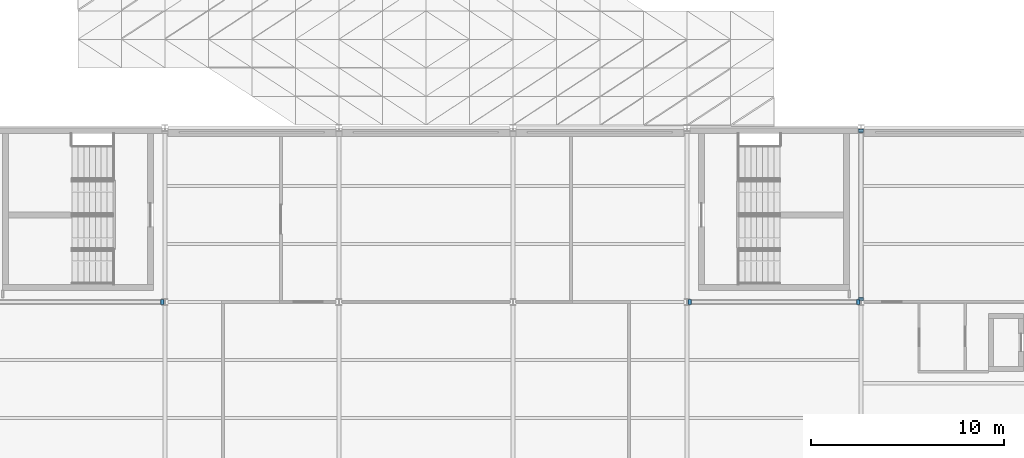
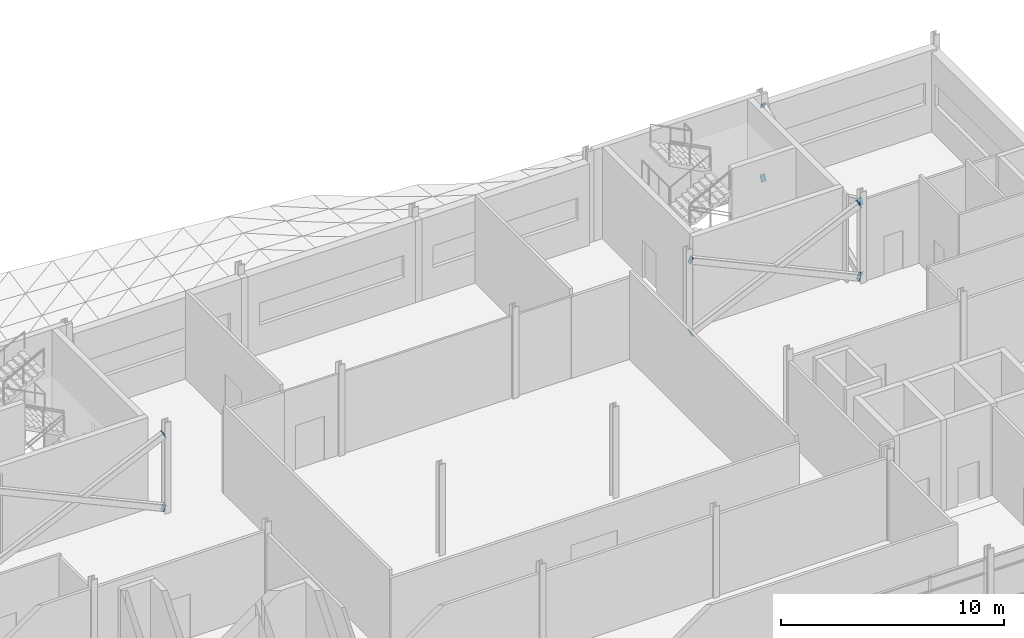
# One storey, part 103 of 112: 10 discrete accessories.
"""IFC4 building model written with IfcOpenShell, lengths in metres."""

from ifc_helpers import new_model, si_unit, direction, frame, origin, place, context, subcontext, project, spatial, polyline, outline, extrude, material, layer, layer_set, type_object, element, save


model = new_model("IFC4")

# Units and contexts
model_context = context("Model", 3, precision=1e-05, world=origin(), true_north=direction((0.0, 1.0)))
body_context = subcontext(model_context, "Body", "Model", "MODEL_VIEW")
ifc_project = project(units=[si_unit("LENGTHUNIT", "METRE"), si_unit("AREAUNIT", "SQUARE_METRE"), si_unit("VOLUMEUNIT", "CUBIC_METRE"), si_unit("PLANEANGLEUNIT", "RADIAN"), si_unit("MASSUNIT", "GRAM", prefix="KILO")], contexts=[model_context])

# Site, building, storey
site_placement = place(None, origin())
site = spatial("IfcSite", under=ifc_project, at=site_placement, CompositionType="ELEMENT")
building_placement = place(site_placement, origin())
building = spatial("IfcBuilding", under=site, at=building_placement, Name="Shorebreak Coast Museum", CompositionType="ELEMENT")
storey_placement = place(building_placement, frame((0.0, 0.0, 6.0)))
storey = spatial("IfcBuildingStorey", under=building, at=storey_placement, Name="L01", CompositionType="ELEMENT", Elevation=6.0)

# Discrete accessories
ifc_material = material(Name="Steel Grade 300", Category="steel")
ifc_layer = layer(ifc_material, 0.02490234375)
ifc_layer_set = layer_set([ifc_layer], Name="Steel Grade 300")
discrete_accessory_type = type_object("IfcDiscreteAccessoryType", Name="End plate 250 x 350 x 25", PredefinedType="BRACKET", material=ifc_layer_set)
discrete_accessory_1_placement = place(storey_placement, frame((71.94091796875, 107.875, 4.126220703125), z_axis=(0.909504613819, 0.0, 0.415693826562), x_axis=(0.0, 1.0, 0.0)))
element("IfcDiscreteAccessory", 1, at=discrete_accessory_1_placement, inside=storey, type_object=discrete_accessory_type, Name="End plate X-brace bay 09 L01 diagonal 1 end 2", PredefinedType="BRACKET", context=body_context, shape_type="SweptSolid", body=[
    extrude(outline(polyline([(0.0, 0.0), (0.25, 0.0), (0.25, 0.3500360197878581), (0.0, 0.3500360197878581), (0.0, 0.0)])), origin(), (0.0, 0.0, -1.0), 0.02490234375),
])
for number, where, z_axis, x_axis, name in (
    (2, (71.772705078125, 108.125, 0.140869140625), (-0.909383974787, 0.0, 0.415957673809), (0.0, -1.0, 0.0), "End plate X-brace bay 09 L01 diagonal 2 end 1"),
    (3, (99.227294921875, 107.875, 0.140869140625), (0.909383974787, 0.0, 0.415957673809), (0.0, 1.0, 0.0), "End plate X-brace bay 11 L01 diagonal 1 end 1"),
):
    element("IfcDiscreteAccessory", number, at=place(storey_placement, frame(where, z_axis=z_axis, x_axis=x_axis)), inside=storey, type_object=discrete_accessory_type, Name=name, PredefinedType="BRACKET", context=body_context, shape_type="SweptSolid", body=[
        extrude(outline(polyline([(0.0, 0.0), (0.25, 0.0), (0.25, 0.34981398748477216), (0.0, 0.34981398748477216), (0.0, 0.0)])), origin(), (0.0, 0.0, -1.0), 0.02490234375),
    ])
discrete_accessory_2_placement = place(storey_placement, frame((107.94091796875, 107.875, 4.126220703125), z_axis=(0.909504613819, 0.0, 0.415693826562), x_axis=(0.0, 1.0, 0.0)))
element("IfcDiscreteAccessory", 4, at=discrete_accessory_2_placement, inside=storey, type_object=discrete_accessory_type, Name="End plate X-brace bay 11 L01 diagonal 1 end 2", PredefinedType="BRACKET", context=body_context, shape_type="SweptSolid", body=[
    extrude(outline(polyline([(0.0, 0.0), (0.25, 0.0), (0.25, 0.3500360197878581), (0.0, 0.3500360197878581), (0.0, 0.0)])), origin(), (0.0, 0.0, -1.0), 0.02490234375),
])
discrete_accessory_3_placement = place(storey_placement, frame((107.772705078125, 108.125, 0.140869140625), z_axis=(-0.909383974787, 0.0, 0.415957673809), x_axis=(0.0, -1.0, 0.0)))
element("IfcDiscreteAccessory", 5, at=discrete_accessory_3_placement, inside=storey, type_object=discrete_accessory_type, Name="End plate X-brace bay 11 L01 diagonal 2 end 1", PredefinedType="BRACKET", context=body_context, shape_type="SweptSolid", body=[
    extrude(outline(polyline([(0.0, 0.0), (0.25, 0.0), (0.25, 0.34981398748477216), (0.0, 0.34981398748477216), (0.0, 0.0)])), origin(), (0.0, 0.0, -1.0), 0.02490234375),
])
discrete_accessory_4_placement = place(storey_placement, frame((99.05908203125, 108.125, 4.126220703125), z_axis=(-0.909504613819, 0.0, 0.415693826562), x_axis=(0.0, -1.0, 0.0)))
element("IfcDiscreteAccessory", 6, at=discrete_accessory_4_placement, inside=storey, type_object=discrete_accessory_type, Name="End plate X-brace bay 11 L01 diagonal 2 end 2", PredefinedType="BRACKET", context=body_context, shape_type="SweptSolid", body=[
    extrude(outline(polyline([(0.0, 0.0), (0.25, 0.0), (0.25, 0.3500360197878581), (0.0, 0.3500360197878581), (0.0, 0.0)])), origin(), (0.0, 0.0, -1.0), 0.02490234375),
])
discrete_accessory_5_placement = place(storey_placement, frame((108.125, 108.233154296875, 0.140869140625), z_axis=(0.0, 0.90911987121, 0.416534584123), x_axis=(-1.0, 0.0, 0.0)))
element("IfcDiscreteAccessory", 7, at=discrete_accessory_5_placement, inside=storey, type_object=discrete_accessory_type, Name="End plate X-brace bay 12 L01 diagonal 1 end 1", PredefinedType="BRACKET", context=body_context, shape_type="SweptSolid", body=[
    extrude(outline(polyline([(0.0, 0.0), (0.25, 0.0), (0.25, 0.3499156100850795), (0.0, 0.3499156100850795), (0.0, 0.0)])), origin(), (0.0, 0.0, -1.0), 0.02490234375),
])
discrete_accessory_6_placement = place(storey_placement, frame((108.125, 116.931884765625, 4.126220703125), z_axis=(0.0, 0.909240810047, 0.416270524232), x_axis=(-1.0, 0.0, 0.0)))
element("IfcDiscreteAccessory", 8, at=discrete_accessory_6_placement, inside=storey, type_object=discrete_accessory_type, Name="End plate X-brace bay 12 L01 diagonal 1 end 2", PredefinedType="BRACKET", context=body_context, shape_type="SweptSolid", body=[
    extrude(outline(polyline([(0.0, 0.0), (0.25, 0.0), (0.25, 0.35013757794635925), (0.0, 0.35013757794635925), (0.0, 0.0)])), origin(), (0.0, 0.0, -1.0), 0.02490234375),
])
discrete_accessory_7_placement = place(storey_placement, frame((107.875, 116.763427734375, 0.140869140625), z_axis=(0.0, -0.90911987121, 0.416534584123), x_axis=(1.0, 0.0, 0.0)))
element("IfcDiscreteAccessory", 9, at=discrete_accessory_7_placement, inside=storey, type_object=discrete_accessory_type, Name="End plate X-brace bay 12 L01 diagonal 2 end 1", PredefinedType="BRACKET", context=body_context, shape_type="SweptSolid", body=[
    extrude(outline(polyline([(0.0, 0.0), (0.25, 0.0), (0.25, 0.3499156100850795), (0.0, 0.3499156100850795), (0.0, 0.0)])), origin(), (0.0, 0.0, -1.0), 0.02490234375),
])
discrete_accessory_8_placement = place(storey_placement, frame((107.875, 108.064697265625, 4.126220703125), z_axis=(0.0, -0.909240810047, 0.416270524232), x_axis=(1.0, 0.0, 0.0)))
element("IfcDiscreteAccessory", 10, at=discrete_accessory_8_placement, inside=storey, type_object=discrete_accessory_type, Name="End plate X-brace bay 12 L01 diagonal 2 end 2", PredefinedType="BRACKET", context=body_context, shape_type="SweptSolid", body=[
    extrude(outline(polyline([(0.0, 0.0), (0.25, 0.0), (0.25, 0.35013757794635925), (0.0, 0.35013757794635925), (0.0, 0.0)])), origin(), (0.0, 0.0, -1.0), 0.02490234375),
])

save(model, "model.ifc")
